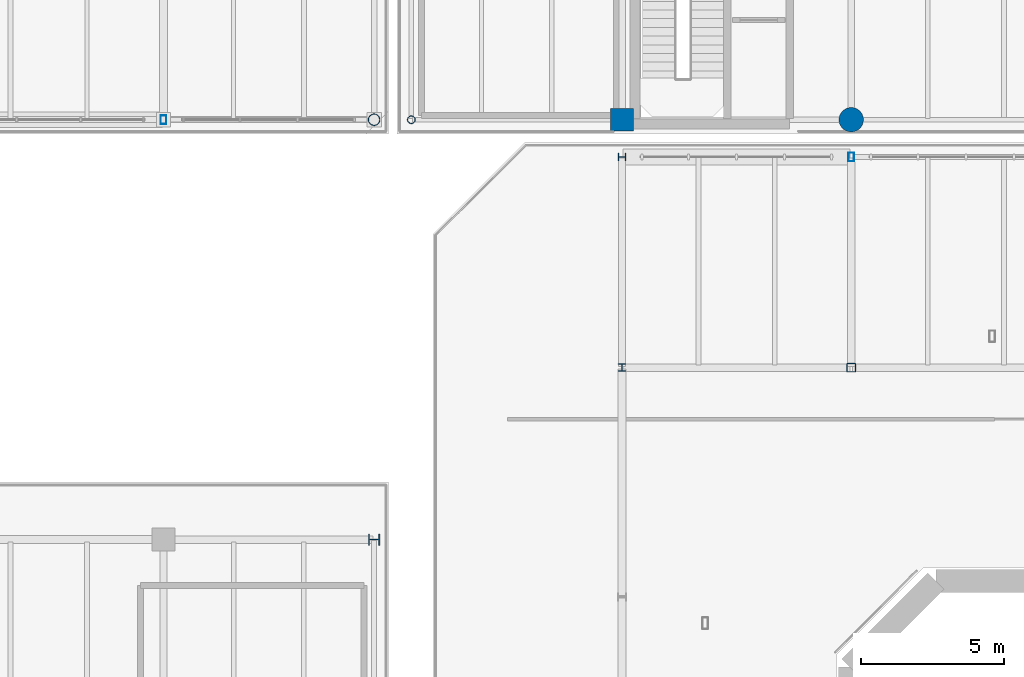
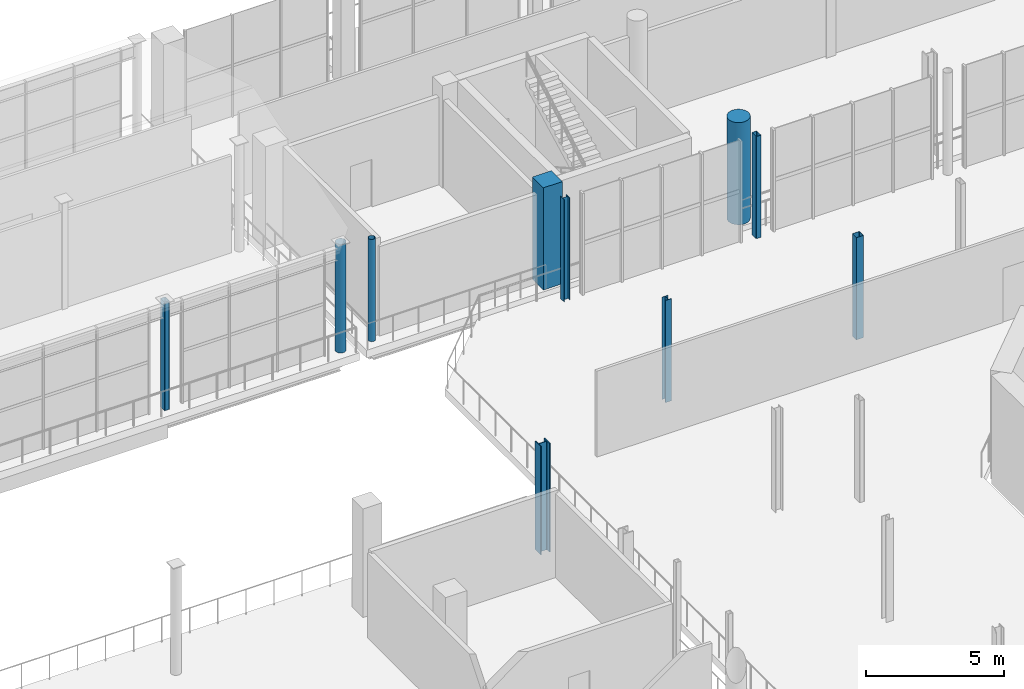
# One storey, part 20 of 93: 10 columns.
"""IFC4 building model written with IfcOpenShell, lengths in metres."""

from ifc_helpers import new_model, si_unit, direction, frame, origin, origin_2d, place, context, subcontext, project, spatial, rectangle, hollow_rectangle, circle, hollow_circle, i_section, extrude, material, material_profile, profile_set, type_object, element, save


model = new_model("IFC4")

# Units and contexts
model_context = context("Model", 3, precision=1e-05, world=origin(), true_north=direction((0.0, 1.0)))
body_context = subcontext(model_context, "Body", "Model", "MODEL_VIEW")
ifc_project = project(units=[si_unit("LENGTHUNIT", "METRE"), si_unit("AREAUNIT", "SQUARE_METRE"), si_unit("VOLUMEUNIT", "CUBIC_METRE"), si_unit("PLANEANGLEUNIT", "RADIAN"), si_unit("MASSUNIT", "GRAM", prefix="KILO")], contexts=[model_context])

# Site, building, storey
site_placement = place(None, origin())
site = spatial("IfcSite", under=ifc_project, at=site_placement, CompositionType="ELEMENT")
building_placement = place(site_placement, origin())
building = spatial("IfcBuilding", under=site, at=building_placement, Name="Brisemont Oceanarium", CompositionType="ELEMENT")
storey_placement = place(building_placement, frame((0.0, 0.0, 5.39990234375)))
storey = spatial("IfcBuildingStorey", under=building, at=storey_placement, Name="L01", CompositionType="ELEMENT", Elevation=5.39990234375)

# Columns
ifc_material_1 = material(Name="Structural Steel ASTM A500 Gr.C", Category="steel")
ifc_material_profile_1 = material_profile(ifc_material_1, hollow_circle(Radius=0.136474609375, WallThickness=0.01171875, at=origin_2d()), Name="HSS10.750X0.500")
ifc_profile_set_1 = profile_set([ifc_material_profile_1], Name="Structural Steel ASTM A500 Gr.C")
column_type_1 = type_object("IfcColumnType", Name="COL-CHS10", PredefinedType="COLUMN", material=ifc_profile_set_1)
column_1_placement = place(storey_placement, frame((56.64990234375, 80.64990234375, 0.0), z_axis=(0.0, 0.0, 1.0), x_axis=(1.0, 0.0, 0.0)))
element("IfcColumn", 1, at=column_1_placement, inside=storey, type_object=column_type_1, Name="V7E L01 column (0,0)", PredefinedType="COLUMN", context=body_context, shape_type="SweptSolid", body=[
    extrude(hollow_circle(Radius=0.136474609375, WallThickness=0.01171875, at=origin_2d()), origin(), (0.0, 0.0, 1.0), 4.52001953125),
])
ifc_material_2 = material(Name="Structural Steel ASTM A500 Gr.C", Category="steel")
ifc_material_profile_2 = material_profile(ifc_material_2, hollow_circle(Radius=0.202880859375, WallThickness=0.01171875, at=origin_2d()), Name="HSS16.000X0.500")
ifc_profile_set_2 = profile_set([ifc_material_profile_2], Name="Structural Steel ASTM A500 Gr.C")
column_type_2 = type_object("IfcColumnType", Name="COL-CHS16", PredefinedType="COLUMN", material=ifc_profile_set_2)
column_2_placement = place(storey_placement, frame((55.35009765625, 80.64990234375, 0.0), z_axis=(0.0, 0.0, 1.0), x_axis=(0.0, 1.0, 0.0)))
element("IfcColumn", 2, at=column_2_placement, inside=storey, type_object=column_type_2, Name="V7W L01 column (5,0)", PredefinedType="COLUMN", context=body_context, shape_type="SweptSolid", body=[
    extrude(hollow_circle(Radius=0.202880859375, WallThickness=0.01171875, at=origin_2d()), origin(), (0.0, 0.0, 1.0), 4.800048828125),
])
ifc_material_3 = material(Name="Structural Steel ASTM A500 Gr.C", Category="steel")
ifc_material_profile_3 = material_profile(ifc_material_3, hollow_rectangle(XDim=0.304931640625, YDim=0.304931640625, WallThickness=0.01171875, InnerFilletRadius=0.01220703125, OuterFilletRadius=0.02392578125, at=origin_2d()), Name="HSS12X12X1/2")
ifc_profile_set_3 = profile_set([ifc_material_profile_3], Name="Structural Steel ASTM A500 Gr.C")
column_type_3 = type_object("IfcColumnType", Name="COL-HSS12X12", PredefinedType="COLUMN", material=ifc_profile_set_3)
column_3_placement = place(storey_placement, frame((72.0, 72.0, 0.0), z_axis=(0.0, 0.0, 1.0), x_axis=(0.0, 1.0, 0.0)))
element("IfcColumn", 3, at=column_3_placement, inside=storey, type_object=column_type_3, Name="V1 L01 column (2,5)", PredefinedType="COLUMN", context=body_context, shape_type="SweptSolid", body=[
    extrude(hollow_rectangle(XDim=0.304931640625, YDim=0.304931640625, WallThickness=0.01171875, InnerFilletRadius=0.01220703125, OuterFilletRadius=0.02392578125, at=origin_2d()), origin(), (0.0, 0.0, 1.0), 4.52001953125),
])
ifc_material_4 = material(Name="Structural Steel ASTM A500 Gr.C", Category="steel")
ifc_material_profile_4 = material_profile(ifc_material_4, hollow_rectangle(XDim=0.202880859375, YDim=0.304931640625, WallThickness=0.0087890625, InnerFilletRadius=0.009033203125, OuterFilletRadius=0.01806640625, at=origin_2d()), Name="HSS12X8X3/8")
ifc_profile_set_4 = profile_set([ifc_material_profile_4], Name="Structural Steel ASTM A500 Gr.C")
column_type_4 = type_object("IfcColumnType", Name="COL-HSS12X8", PredefinedType="COLUMN", material=ifc_profile_set_4)
column_4_placement = place(storey_placement, frame((72.0, 79.35009765625, 0.0), z_axis=(0.0, 0.0, 1.0), x_axis=(1.0, 0.0, 0.0)))
element("IfcColumn", 4, at=column_4_placement, inside=storey, type_object=column_type_4, Name="V1 L01 column (2,6)", PredefinedType="COLUMN", context=body_context, shape_type="SweptSolid", body=[
    extrude(hollow_rectangle(XDim=0.202880859375, YDim=0.304931640625, WallThickness=0.0087890625, InnerFilletRadius=0.009033203125, OuterFilletRadius=0.01806640625, at=origin_2d()), origin(), (0.0, 0.0, 1.0), 4.52001953125),
])
column_5_placement = place(storey_placement, frame((48.0, 80.64990234375, 0.0), z_axis=(0.0, 0.0, 1.0), x_axis=(1.0, 0.0, 0.0)))
element("IfcColumn", 5, at=column_5_placement, inside=storey, type_object=column_type_4, Name="V7W L01 column (4,0)", PredefinedType="COLUMN", context=body_context, shape_type="SweptSolid", body=[
    extrude(hollow_rectangle(XDim=0.202880859375, YDim=0.304931640625, WallThickness=0.0087890625, InnerFilletRadius=0.009033203125, OuterFilletRadius=0.01806640625, at=origin_2d()), origin(), (0.0, 0.0, 1.0), 4.800048828125),
])
ifc_material_5 = material(Name="Concrete C40/50", Category="concrete")
ifc_material_profile_5 = material_profile(ifc_material_5, rectangle(XDim=0.800048828125, YDim=0.800048828125, at=origin_2d()), Name="RC-COL-800X800")
ifc_profile_set_5 = profile_set([ifc_material_profile_5], Name="Concrete C40/50")
column_type_5 = type_object("IfcColumnType", Name="COL-RC800", PredefinedType="COLUMN", material=ifc_profile_set_5)
column_6_placement = place(storey_placement, frame((64.0, 80.64990234375, 0.0), z_axis=(0.0, 0.0, 1.0), x_axis=(0.0, 1.0, 0.0)))
element("IfcColumn", 6, at=column_6_placement, inside=storey, type_object=column_type_5, Name="V7E L01 column (1,0)", PredefinedType="COLUMN", context=body_context, shape_type="SweptSolid", body=[
    extrude(rectangle(XDim=0.800048828125, YDim=0.800048828125, at=origin_2d()), origin(), (0.0, 0.0, 1.0), 4.52001953125),
])
ifc_material_6 = material(Name="Concrete C40/50", Category="concrete")
ifc_material_profile_6 = material_profile(ifc_material_6, circle(Radius=0.425048828125, at=origin_2d()), Name="RC-COL-D850")
ifc_profile_set_6 = profile_set([ifc_material_profile_6], Name="Concrete C40/50")
column_type_6 = type_object("IfcColumnType", Name="COL-RCD850", PredefinedType="COLUMN", material=ifc_profile_set_6)
column_7_placement = place(storey_placement, frame((72.0, 80.64990234375, 0.0), z_axis=(0.0, 0.0, 1.0), x_axis=(1.0, 0.0, 0.0)))
element("IfcColumn", 7, at=column_7_placement, inside=storey, type_object=column_type_6, Name="V7E L01 column (2,0)", PredefinedType="COLUMN", context=body_context, shape_type="SweptSolid", body=[
    extrude(circle(Radius=0.425048828125, at=origin_2d()), origin(), (0.0, 0.0, 1.0), 4.52001953125),
])
ifc_material_7 = material(Name="Structural Steel ASTM A992 Gr.50", Category="steel")
ifc_material_profile_7 = material_profile(ifc_material_7, i_section(OverallWidth=0.25390625, OverallDepth=0.25390625, WebThickness=0.008544921875, FlangeThickness=0.01416015625, FilletRadius=0.010986328125, at=origin_2d()), Name="W10X49")
ifc_profile_set_7 = profile_set([ifc_material_profile_7], Name="Structural Steel ASTM A992 Gr.50")
column_type_7 = type_object("IfcColumnType", Name="COL-W10X49", PredefinedType="COLUMN", material=ifc_profile_set_7)
column_8_placement = place(storey_placement, frame((64.0, 79.35009765625, 0.0), z_axis=(0.0, 0.0, 1.0), x_axis=(0.0, 1.0, 0.0)))
element("IfcColumn", 8, at=column_8_placement, inside=storey, type_object=column_type_7, Name="V1 L01 column (1,6)", PredefinedType="COLUMN", context=body_context, shape_type="SweptSolid", body=[
    extrude(i_section(OverallWidth=0.25390625, OverallDepth=0.25390625, WebThickness=0.008544921875, FlangeThickness=0.01416015625, FilletRadius=0.010986328125, at=origin_2d()), origin(), (0.0, 0.0, 1.0), 4.52001953125),
])
ifc_material_8 = material(Name="Structural Steel ASTM A992 Gr.50", Category="steel")
ifc_material_profile_8 = material_profile(ifc_material_8, i_section(OverallWidth=0.256103515625, OverallDepth=0.260009765625, WebThickness=0.0107421875, FlangeThickness=0.017333984375, FilletRadius=0.010986328125, at=origin_2d()), Name="W10X60")
ifc_profile_set_8 = profile_set([ifc_material_profile_8], Name="Structural Steel ASTM A992 Gr.50")
column_type_8 = type_object("IfcColumnType", Name="COL-W10X60", PredefinedType="COLUMN", material=ifc_profile_set_8)
column_9_placement = place(storey_placement, frame((64.0, 72.0, 0.0), z_axis=(0.0, 0.0, 1.0), x_axis=(1.0, 0.0, 0.0)))
element("IfcColumn", 9, at=column_9_placement, inside=storey, type_object=column_type_8, Name="V1 L01 column (1,5)", PredefinedType="COLUMN", context=body_context, shape_type="SweptSolid", body=[
    extrude(i_section(OverallWidth=0.256103515625, OverallDepth=0.260009765625, WebThickness=0.0107421875, FlangeThickness=0.017333984375, FilletRadius=0.010986328125, at=origin_2d()), origin(), (0.0, 0.0, 1.0), 4.52001953125),
])
ifc_material_9 = material(Name="Structural Steel ASTM A992 Gr.50", Category="steel")
ifc_material_profile_9 = material_profile(ifc_material_9, i_section(OverallWidth=0.404052734375, OverallDepth=0.406982421875, WebThickness=0.027099609375, FlangeThickness=0.043701171875, FilletRadius=0.014892578125, at=origin_2d()), Name="W14X233")
ifc_profile_set_9 = profile_set([ifc_material_profile_9], Name="Structural Steel ASTM A992 Gr.50")
column_type_9 = type_object("IfcColumnType", Name="COL-W14X233", PredefinedType="COLUMN", material=ifc_profile_set_9)
column_10_placement = place(storey_placement, frame((55.35009765625, 66.0, 0.0), z_axis=(0.0, 0.0, 1.0), x_axis=(0.0, 1.0, 0.0)))
element("IfcColumn", 10, at=column_10_placement, inside=storey, type_object=column_type_9, Name="V5W L01 column (5,4)", PredefinedType="COLUMN", context=body_context, shape_type="SweptSolid", body=[
    extrude(i_section(OverallWidth=0.404052734375, OverallDepth=0.406982421875, WebThickness=0.027099609375, FlangeThickness=0.043701171875, FilletRadius=0.014892578125, at=origin_2d()), origin(), (0.0, 0.0, 1.0), 4.800048828125),
])

save(model, "model.ifc")
